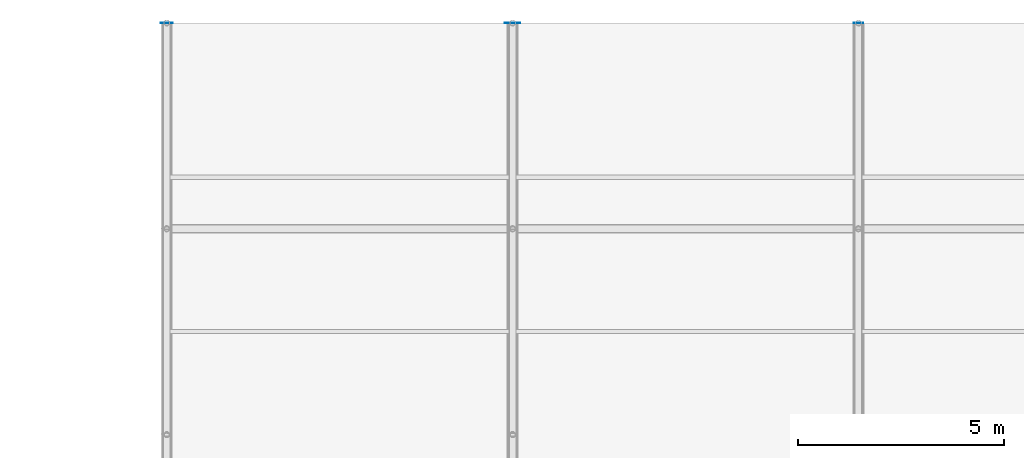
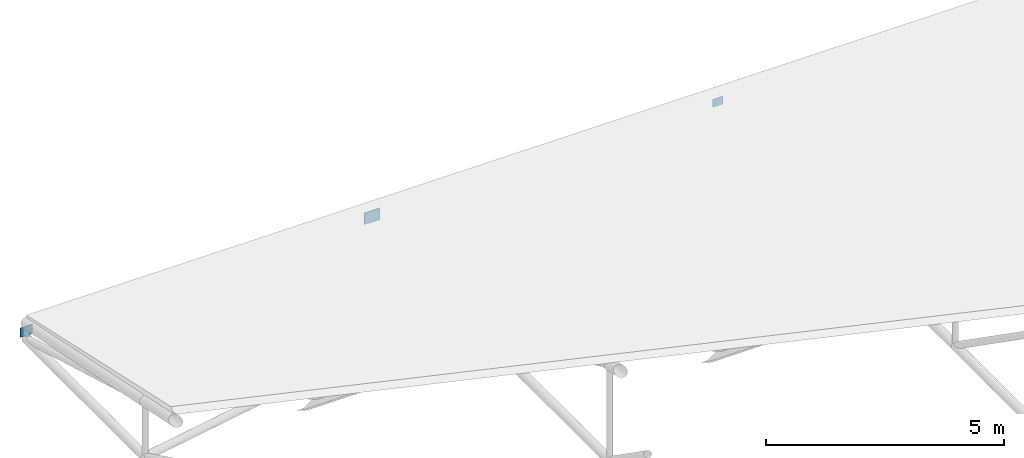
# One storey, part 186 of 194: 3 plates.
"""IFC4 building model written with IfcOpenShell, lengths in metres."""

from ifc_helpers import new_model, si_unit, direction, frame, origin, origin_2d, place, context, subcontext, project, spatial, rectangle, extrude, material, layer, layer_set, type_object, element, save


model = new_model("IFC4")

# Units and contexts
model_context = context("Model", 3, precision=1e-05, world=origin(), true_north=direction((0.0, 1.0)))
body_context = subcontext(model_context, "Body", "Model", "MODEL_VIEW")
ifc_project = project(units=[si_unit("LENGTHUNIT", "METRE"), si_unit("AREAUNIT", "SQUARE_METRE"), si_unit("VOLUMEUNIT", "CUBIC_METRE"), si_unit("PLANEANGLEUNIT", "RADIAN"), si_unit("MASSUNIT", "GRAM", prefix="KILO")], contexts=[model_context])

# Site, building, storey
site_placement = place(None, origin())
site = spatial("IfcSite", under=ifc_project, at=site_placement, CompositionType="ELEMENT")
building_placement = place(site_placement, origin())
building = spatial("IfcBuilding", under=site, at=building_placement, Name="Kazenagashi Tramway Depot", CompositionType="ELEMENT")
storey_placement = place(building_placement, frame((0.0, 0.0, 23.7)))
storey = spatial("IfcBuildingStorey", under=building, at=storey_placement, Name="ROOF", CompositionType="ELEMENT", Elevation=23.7)

# Plates
ifc_material = material(Name="Steel STK490", Category="steel")
ifc_layer_1 = layer(ifc_material, 0.014)
ifc_layer_set_1 = layer_set([ifc_layer_1], Name="Steel STK490")
plate_type_1 = type_object("IfcPlateType", Name="EC-06", PredefinedType="USERDEFINED", material=ifc_layer_set_1)
plate_1_placement = place(storey_placement, frame((44.8, 130.0, -14.02), z_axis=(0.0, 0.0, 1.0), x_axis=(1.0, 0.0, 0.0)))
element("IfcPlate", 1, at=plate_1_placement, inside=storey, type_object=plate_type_1, Name="Structural Node Plate EC-06 PLT-0004", ObjectType="END CAP PLATE", PredefinedType="USERDEFINED", context=body_context, shape_type="SweptSolid", body=[
    extrude(rectangle(XDim=0.3, YDim=0.014, at=origin_2d()), origin(), (0.0, 0.0, 1.0), 0.24),
])
ifc_layer_2 = layer(ifc_material, 0.018)
ifc_layer_set_2 = layer_set([ifc_layer_2], Name="Steel STK490")
plate_type_2 = type_object("IfcPlateType", Name="EC-07", PredefinedType="USERDEFINED", material=ifc_layer_set_2)
plate_2_placement = place(storey_placement, frame((53.2, 130.0, -14.05), z_axis=(0.0, 0.0, 1.0), x_axis=(1.0, 0.0, 0.0)))
element("IfcPlate", 2, at=plate_2_placement, inside=storey, type_object=plate_type_2, Name="Structural Node Plate EC-07 PLT-0008", ObjectType="END CAP PLATE", PredefinedType="USERDEFINED", context=body_context, shape_type="SweptSolid", body=[
    extrude(rectangle(XDim=0.38, YDim=0.018, at=origin_2d()), origin(), (0.0, 0.0, 1.0), 0.3),
])
ifc_layer_3 = layer(ifc_material, 0.012)
ifc_layer_set_3 = layer_set([ifc_layer_3], Name="Steel STK490")
plate_type_3 = type_object("IfcPlateType", Name="EC-08", PredefinedType="USERDEFINED", material=ifc_layer_set_3)
plate_3_placement = place(storey_placement, frame((61.6, 130.0, -14.0), z_axis=(0.0, 0.0, 1.0), x_axis=(1.0, 0.0, 0.0)))
element("IfcPlate", 3, at=plate_3_placement, inside=storey, type_object=plate_type_3, Name="Structural Node Plate EC-08 PLT-0012", ObjectType="END CAP PLATE", PredefinedType="USERDEFINED", context=body_context, shape_type="SweptSolid", body=[
    extrude(rectangle(XDim=0.24, YDim=0.012, at=origin_2d()), origin(), (0.0, 0.0, 1.0), 0.2),
])

save(model, "model.ifc")
